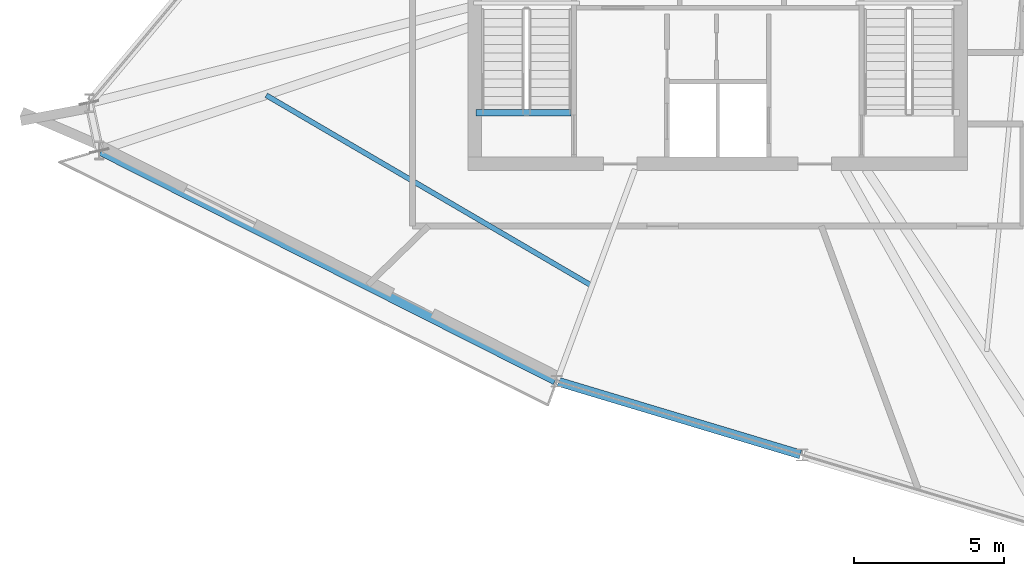
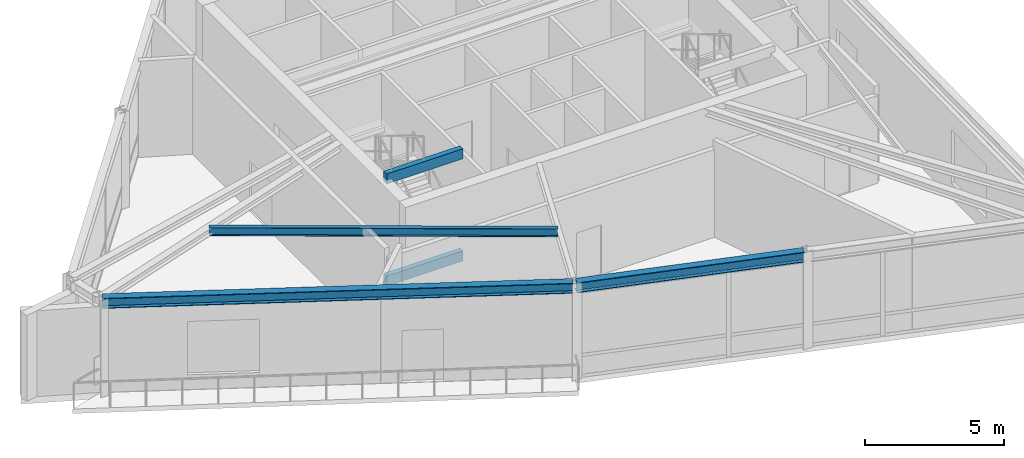
# One storey, part 3 of 23: 5 beams.
"""IFC4 building model written with IfcOpenShell, lengths in metres."""

import ifcopenshell
import ifcopenshell.guid

model = None  # the IFC model being written
_history = None  # IfcOwnerHistory: only IFC2X3 demands one
_inside = {}  # id of a spatial element -> (the spatial element, [elements in it])
_under = {}  # id of a project, library or spatial element -> (it, [spatial elements below it])
_declared = {}  # id of a project -> (the project, [libraries it declares])
_typed = {}  # id of a type object -> (the type object, [elements of that type])
_made_of = {}  # id of a material, layer set ... -> (it, [elements and type objects made of it])


def new_model(schema):
    """Start an empty IFC model of exactly this schema.

    Asked for "IFC4X3", IfcOpenShell would pick the latest addendum, in which some entities
    have other attributes; the version numbers below select the first issue.
    IFC2X3 requires an IfcOwnerHistory on every rooted entity: one is made here for all.
    """
    global model, _history
    if schema == "IFC4X3":
        model = ifcopenshell.file(schema_version=(4, 3, 0, 0))
    else:
        model = ifcopenshell.file(schema=schema)
    _inside.clear()
    _under.clear()
    _declared.clear()
    _typed.clear()
    _made_of.clear()
    _history = None
    if model.schema == "IFC2X3":
        org = make("IfcOrganization", Name="unknown")
        user = make(
            "IfcPersonAndOrganization",
            ThePerson=make("IfcPerson", FamilyName="unknown"),
            TheOrganization=org,
        )
        app = make(
            "IfcApplication",
            ApplicationDeveloper=org,
            Version="unknown",
            ApplicationFullName="unknown",
            ApplicationIdentifier="unknown",
        )
        _history = make(
            "IfcOwnerHistory",
            OwningUser=user,
            OwningApplication=app,
            ChangeAction="ADDED",
            CreationDate=0,
        )
    return model


def make(cls, **values):
    """One entity of the class cls with the attributes given. An attribute that is None is left unset."""
    return model.create_entity(
        cls, **{name: value for name, value in values.items() if value is not None}
    )


def rooted(cls, **values):
    """An entity with a GlobalId (a new one), such as an element, a storey or a relation."""
    return make(cls, GlobalId=ifcopenshell.guid.new(), OwnerHistory=_history, **values)


def si_unit(unit_type, name, prefix=None):
    """IfcSIUnit, for example si_unit("LENGTHUNIT", "METRE", prefix="MILLI")."""
    return make("IfcSIUnit", UnitType=unit_type, Prefix=prefix, Name=name)


def assignment(units):
    """IfcUnitAssignment: the units of a project."""
    return None if units is None else make("IfcUnitAssignment", Units=units)


def point(xyz):
    """IfcCartesianPoint."""
    return None if xyz is None else make("IfcCartesianPoint", Coordinates=xyz)


def direction(xyz):
    """IfcDirection."""
    return None if xyz is None else make("IfcDirection", DirectionRatios=xyz)


def frame(location, z_axis=None, x_axis=None):
    """IfcAxis2Placement3D, a coordinate frame: its origin and axes. An axis left out is left unset."""
    return make(
        "IfcAxis2Placement3D",
        Location=point(location),
        Axis=direction(z_axis),
        RefDirection=direction(x_axis),
    )


def frame_2d(location, x_axis=None):
    """IfcAxis2Placement2D, a coordinate frame in the plane: its origin and x axis."""
    return make(
        "IfcAxis2Placement2D", Location=point(location), RefDirection=direction(x_axis)
    )


def origin():
    """The frame at (0, 0, 0) with its axes left unset."""
    return frame((0.0, 0.0, 0.0))


def origin_2d():
    """The frame at (0, 0) in the plane with its x axis left unset."""
    return frame_2d((0.0, 0.0))


def place(relative_to, where):
    """IfcLocalPlacement: puts the frame where relative to a parent placement (None: the world)."""
    return make(
        "IfcLocalPlacement", PlacementRelTo=relative_to, RelativePlacement=where
    )


def context(
    kind, dimensions, precision=None, world=None, true_north=None, identifier=None
):
    """IfcGeometricRepresentationContext, for example the 3D "Model" context."""
    return make(
        "IfcGeometricRepresentationContext",
        ContextIdentifier=identifier,
        ContextType=kind,
        CoordinateSpaceDimension=dimensions,
        Precision=precision,
        WorldCoordinateSystem=world,
        TrueNorth=true_north,
    )


def subcontext(parent, identifier, kind, view, scale=None):
    """IfcGeometricRepresentationSubContext, for example "Body" below "Model"."""
    return make(
        "IfcGeometricRepresentationSubContext",
        ContextIdentifier=identifier,
        ContextType=kind,
        ParentContext=parent,
        TargetScale=scale,
        TargetView=view,
    )


def project(units=None, contexts=None):
    """IfcProject with its units and contexts."""
    return rooted(
        "IfcProject",
        Name="project",
        RepresentationContexts=contexts,
        UnitsInContext=assignment(units),
    )


def spatial(cls, under=None, at=None, **own):
    """A site, building, storey or space (cls), placed at a placement, below another one or the project."""
    s = rooted(cls, ObjectPlacement=at, **own)
    if under is not None:
        _under.setdefault(under.id(), (under, []))[1].append(s)
    return s


def profile(cls, at=None, kind="AREA", **sizes):
    """A parametric profile (cls). Its sizes go by their IFC names, for example OverallWidth=200.0."""
    return make(cls, ProfileType=kind, Position=at, **sizes)


def rectangle(**sizes):
    """IfcRectangleProfileDef."""
    return profile("IfcRectangleProfileDef", **sizes)


def i_section(**sizes):
    """IfcIShapeProfileDef."""
    return profile("IfcIShapeProfileDef", **sizes)


def extrude(swept, where, along, depth):
    """IfcExtrudedAreaSolid: the profile swept, set in the frame where, extruded along a direction by depth."""
    return make(
        "IfcExtrudedAreaSolid",
        SweptArea=swept,
        Position=where,
        ExtrudedDirection=direction(along),
        Depth=depth,
    )


def shape(context_of_items, identifier, shape_type, items):
    """IfcShapeRepresentation: the items that make up one representation, for example the "Body"."""
    return make(
        "IfcShapeRepresentation",
        ContextOfItems=context_of_items,
        RepresentationIdentifier=identifier,
        RepresentationType=shape_type,
        Items=items,
    )


def source(mapping_origin, context_of_items, identifier, shape_type, items):
    """IfcRepresentationMap: a shape defined once, which mapped items show again and again."""
    return make(
        "IfcRepresentationMap",
        MappingOrigin=mapping_origin,
        MappedRepresentation=shape(context_of_items, identifier, shape_type, items),
    )


def transform(
    local_origin,
    x_axis=None,
    y_axis=None,
    z_axis=None,
    scale=None,
    scale2=None,
    scale3=None,
    uniform=True,
):
    """IfcCartesianTransformationOperator3D, or its non-uniform kind. x_axis, y_axis, z_axis: its Axis1, 2, 3."""
    if uniform:
        return make(
            "IfcCartesianTransformationOperator3D",
            Axis1=direction(x_axis),
            Axis2=direction(y_axis),
            LocalOrigin=point(local_origin),
            Scale=scale,
            Axis3=direction(z_axis),
        )
    return make(
        "IfcCartesianTransformationOperator3DnonUniform",
        Axis1=direction(x_axis),
        Axis2=direction(y_axis),
        LocalOrigin=point(local_origin),
        Scale=scale,
        Axis3=direction(z_axis),
        Scale2=scale2,
        Scale3=scale3,
    )


def mapped(mapping_source, mapping_target):
    """IfcMappedItem: shows the shape of a source again, moved by a transform."""
    return make(
        "IfcMappedItem", MappingSource=mapping_source, MappingTarget=mapping_target
    )


def material(Name=None, Category=None):
    """IfcMaterial."""
    return make("IfcMaterial", Name=Name, Category=Category)


def material_profile(
    of_material, cross_section, Name=None, Category=None, Priority=None
):
    """IfcMaterialProfile: a cross section and its material."""
    return make(
        "IfcMaterialProfile",
        Name=Name,
        Material=of_material,
        Profile=cross_section,
        Priority=Priority,
        Category=Category,
    )


def profile_set(profiles, Name=None, composite=None):
    """IfcMaterialProfileSet."""
    return make(
        "IfcMaterialProfileSet",
        Name=Name,
        MaterialProfiles=profiles,
        CompositeProfile=composite,
    )


def made_of(thing, what):
    """Note that an element or type object is made of a material, layer set ...; save() writes the relation."""
    if what is not None:
        _made_of.setdefault(what.id(), (what, []))[1].append(thing)
    return thing


def type_object(cls, material=None, **own):
    """A type object (cls), such as IfcWallType, which elements share."""
    return made_of(rooted(cls, **own), material)


def element(
    cls,
    number,
    at=None,
    inside=None,
    cuts=None,
    type_object=None,
    material=None,
    context=None,
    identifier="Body",
    shape_type=None,
    held_by="IfcProductDefinitionShape",
    body=None,
    shapes=None,
    **own,
):
    """One element of the class cls, such as IfcWall. Its Tag is "e" and its number.

    at: its placement. inside: the storey or other place that contains it. cuts: it is an
    opening in that element (IfcRelVoidsElement). A single representation is given by context,
    identifier, shape_type and body (its items); several are given by shapes. held_by: the class
    of the entity that holds the representations. save() writes the other relations.
    """
    e = rooted(cls, Tag="e%d" % number, ObjectPlacement=at, **own)
    if body is not None:
        shapes = [shape(context, identifier, shape_type, body)]
    if shapes is not None:
        e.Representation = make(held_by, Representations=shapes)
    if inside is not None:
        _inside.setdefault(inside.id(), (inside, []))[1].append(e)
    if cuts is not None:
        rooted(
            "IfcRelVoidsElement", RelatingBuildingElement=cuts, RelatedOpeningElement=e
        )
    if type_object is not None:
        _typed.setdefault(type_object.id(), (type_object, []))[1].append(e)
    return made_of(e, material)


def aggregate(whole, parts):
    """IfcRelAggregates: a whole, such as a stair, and the parts it consists of."""
    return rooted("IfcRelAggregates", RelatingObject=whole, RelatedObjects=parts)


def save(model, path):
    """Write the relations noted so far, then the file.

    IfcRelAggregates (storeys below a building ...), IfcRelContainedInSpatialStructure (elements
    in a storey), IfcRelDefinesByType, IfcRelAssociatesMaterial and IfcRelDeclares: one each for
    every whole, place, type object, material and project.
    """
    for whole, parts in _under.values():
        aggregate(whole, parts)
    for where, things in _inside.values():
        rooted(
            "IfcRelContainedInSpatialStructure",
            RelatedElements=things,
            RelatingStructure=where,
        )
    for kind, things in _typed.values():
        rooted("IfcRelDefinesByType", RelatedObjects=things, RelatingType=kind)
    for what, things in _made_of.values():
        rooted("IfcRelAssociatesMaterial", RelatedObjects=things, RelatingMaterial=what)
    for by, libraries in _declared.values():
        rooted("IfcRelDeclares", RelatingContext=by, RelatedDefinitions=libraries)
    model.write(path)


model = new_model("IFC4")

# Units and contexts
model_context = context("Model", 3, precision=1e-05, world=origin(), true_north=direction((0.0, 1.0)))
body_context = subcontext(model_context, "Body", "Model", "MODEL_VIEW")
ifc_project = project(units=[si_unit("LENGTHUNIT", "METRE"), si_unit("AREAUNIT", "SQUARE_METRE"), si_unit("VOLUMEUNIT", "CUBIC_METRE"), si_unit("PLANEANGLEUNIT", "RADIAN"), si_unit("MASSUNIT", "GRAM", prefix="KILO")], contexts=[model_context])

# Site, building, storey
site_placement = place(None, origin())
site = spatial("IfcSite", under=ifc_project, at=site_placement, CompositionType="ELEMENT")
building_placement = place(site_placement, origin())
building = spatial("IfcBuilding", under=site, at=building_placement, Name="Olszyna Solenne Hotel", CompositionType="ELEMENT")
storey_placement = place(building_placement, frame((0.0, 0.0, 290.5)))
storey = spatial("IfcBuildingStorey", under=building, at=storey_placement, Name="L77", CompositionType="ELEMENT", Elevation=290.5)

# Beams
ifc_material_1 = material(Name="Steel S355J2", Category="steel")
ifc_material_profile_1 = material_profile(ifc_material_1, i_section(OverallWidth=0.300048828125, OverallDepth=0.449951171875, WebThickness=0.013916015625, FlangeThickness=0.02587890625, at=origin_2d()), Name="HEB 450", Category="load-bearing")
ifc_profile_set_1 = profile_set([ifc_material_profile_1], Name="Steel S355J2")
beam_type_1 = type_object("IfcBeamType", Name="BM-S4", PredefinedType="BEAM", material=ifc_profile_set_1)
shared_shape_1 = source(origin(), body_context, "Body", "SweptSolid", [
    extrude(i_section(OverallWidth=0.300048828125, OverallDepth=0.449951171875, WebThickness=0.013916015625, FlangeThickness=0.02587890625, at=origin_2d()), origin(), (0.0, 0.0, 1.0), 16.99951171875),
])
beam_1_placement = place(storey_placement, frame((17.39111328125, 19.69775390625, 4.014892578125), z_axis=(0.89277818121, -0.45049652513, 0.0), x_axis=(0.45049652513, 0.89277818121, 0.0)))
element("IfcBeam", 1, at=beam_1_placement, inside=storey, type_object=beam_type_1, Name="Perimeter spandrel beam BM-S4 B-L77-2257", PredefinedType="BEAM", context=body_context, shape_type="MappedRepresentation", body=[
    mapped(shared_shape_1, transform((0.0, 0.0, 0.0), x_axis=(1.0, 0.0, 0.0), y_axis=(0.0, 1.0, 0.0), z_axis=(0.0, 0.0, 1.0), scale=1.0)),
])
shared_shape_2 = source(origin(), body_context, "Body", "SweptSolid", [
    extrude(i_section(OverallWidth=0.300048828125, OverallDepth=0.449951171875, WebThickness=0.013916015625, FlangeThickness=0.02587890625, at=origin_2d()), origin(), (0.0, 0.0, 1.0), 8.439697265625),
])
beam_2_placement = place(storey_placement, frame((32.678955078125, 11.9951171875, 4.014892578125), z_axis=(0.957715545112, -0.287716761159, 0.0), x_axis=(0.287716761159, 0.957715545112, 0.0)))
element("IfcBeam", 2, at=beam_2_placement, inside=storey, type_object=beam_type_1, Name="Perimeter spandrel beam BM-S4 B-L77-2258", PredefinedType="BEAM", context=body_context, shape_type="MappedRepresentation", body=[
    mapped(shared_shape_2, transform((0.0, 0.0, 0.0), x_axis=(1.0, 0.0, 0.0), y_axis=(0.0, 1.0, 0.0), z_axis=(0.0, 0.0, 1.0), scale=1.0)),
])
ifc_material_profile_2 = material_profile(ifc_material_1, i_section(OverallWidth=0.169921875, OverallDepth=0.360107421875, WebThickness=0.008056640625, FlangeThickness=0.0126953125, at=origin_2d()), Name="IPE 360", Category="load-bearing")
ifc_profile_set_2 = profile_set([ifc_material_profile_2], Name="Steel S355J2")
beam_type_2 = type_object("IfcBeamType", Name="JS-01", PredefinedType="JOIST", material=ifc_profile_set_2)
shared_shape_3 = source(origin(), body_context, "Body", "SweptSolid", [
    extrude(i_section(OverallWidth=0.169921875, OverallDepth=0.360107421875, WebThickness=0.008056640625, FlangeThickness=0.0126953125, at=origin_2d()), origin(), (0.0, 0.0, 1.0), 12.5849609375),
])
beam_3_placement = place(storey_placement, frame((22.916748046875, 21.565185546875, 4.06005859375), z_axis=(0.863160483778, -0.504929677524, 0.0), x_axis=(0.504929677524, 0.863160483778, 0.0)))
element("IfcBeam", 3, at=beam_3_placement, inside=storey, type_object=beam_type_2, Name="Secondary composite floor joist JS-01 B-L77-2274", PredefinedType="JOIST", context=body_context, shape_type="MappedRepresentation", body=[
    mapped(shared_shape_3, transform((0.0, 0.0, 0.0), x_axis=(1.0, 0.0, 0.0), y_axis=(0.0, 1.0, 0.0), z_axis=(0.0, 0.0, 1.0), scale=1.0)),
])
ifc_material_2 = material(Name="Concrete C50/60", Category="concrete")
ifc_material_profile_3 = material_profile(ifc_material_2, rectangle(XDim=0.219970703125, YDim=0.43994140625, at=origin_2d()), Name="RC 220x440", Category="load-bearing")
ifc_profile_set_3 = profile_set([ifc_material_profile_3], Name="Concrete C50/60")
beam_type_3 = type_object("IfcBeamType", Name="BM-ST1", PredefinedType="BEAM", material=ifc_profile_set_3)
shared_shape_4 = source(origin(), body_context, "Body", "SweptSolid", [
    extrude(rectangle(XDim=0.219970703125, YDim=0.43994140625, at=origin_2d()), origin(), (0.0, 0.0, 1.0), 3.18017578125),
])
for number, where, z_axis, x_axis, name in (
    (4, (33.10009765625, 20.97998046875, -0.205078125), (-1.0, 0.0, 0.0), (0.0, -1.0, 0.0), "Concrete stair trimmer beam BM-ST1 SHB-ST1-0239"),
    (5, (33.10009765625, 20.97998046875, 4.294921875), (-1.0, 0.0, 0.0), (0.0, -1.0, 0.0), "Concrete stair trimmer beam BM-ST1 SHB-ST1-0240"),
):
    element("IfcBeam", number, at=place(storey_placement, frame(where, z_axis=z_axis, x_axis=x_axis)), inside=storey, type_object=beam_type_3, Name=name, PredefinedType="BEAM", context=body_context, shape_type="MappedRepresentation", body=[
        mapped(shared_shape_4, transform((0.0, 0.0, 0.0), x_axis=(1.0, 0.0, 0.0), y_axis=(0.0, 1.0, 0.0), z_axis=(0.0, 0.0, 1.0), scale=1.0)),
    ])

save(model, "model.ifc")
